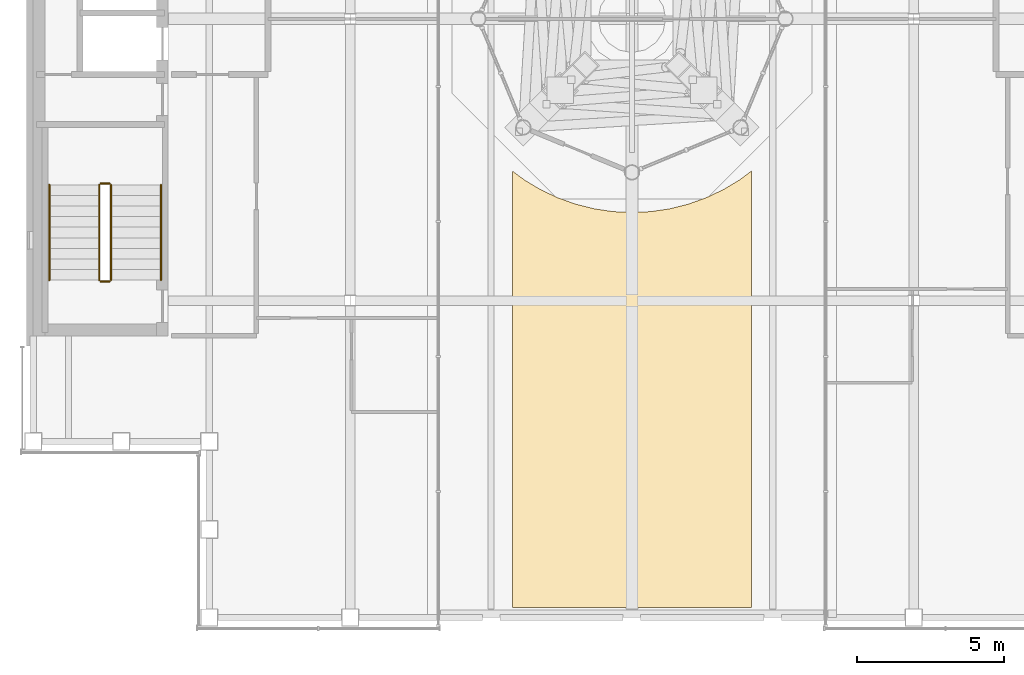
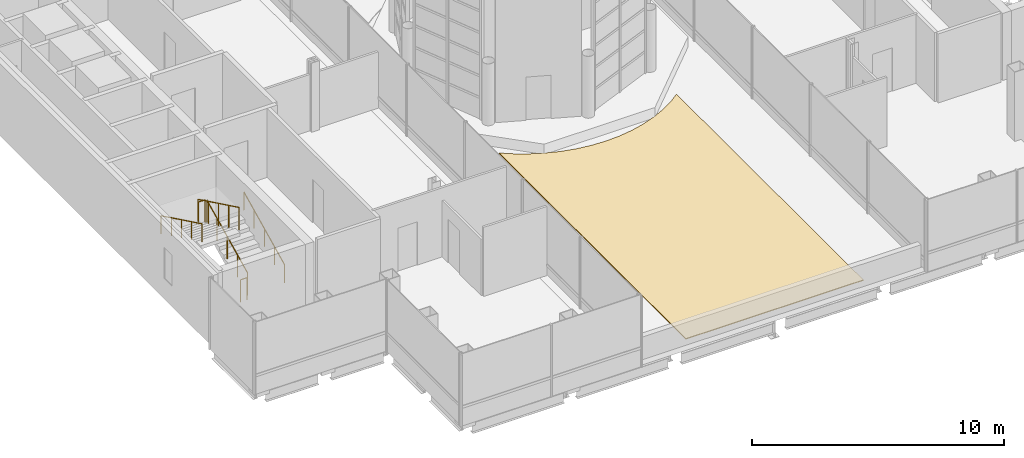
# One storey, part 29 of 32: 6 railings, 1 covering.
"""IFC4 building model written with IfcOpenShell, lengths in metres."""

import ifcopenshell
import ifcopenshell.guid

model = None  # the IFC model being written
_history = None  # IfcOwnerHistory: only IFC2X3 demands one
_inside = {}  # id of a spatial element -> (the spatial element, [elements in it])
_under = {}  # id of a project, library or spatial element -> (it, [spatial elements below it])
_declared = {}  # id of a project -> (the project, [libraries it declares])
_typed = {}  # id of a type object -> (the type object, [elements of that type])
_made_of = {}  # id of a material, layer set ... -> (it, [elements and type objects made of it])


def new_model(schema):
    """Start an empty IFC model of exactly this schema.

    Asked for "IFC4X3", IfcOpenShell would pick the latest addendum, in which some entities
    have other attributes; the version numbers below select the first issue.
    IFC2X3 requires an IfcOwnerHistory on every rooted entity: one is made here for all.
    """
    global model, _history
    if schema == "IFC4X3":
        model = ifcopenshell.file(schema_version=(4, 3, 0, 0))
    else:
        model = ifcopenshell.file(schema=schema)
    _inside.clear()
    _under.clear()
    _declared.clear()
    _typed.clear()
    _made_of.clear()
    _history = None
    if model.schema == "IFC2X3":
        org = make("IfcOrganization", Name="unknown")
        user = make(
            "IfcPersonAndOrganization",
            ThePerson=make("IfcPerson", FamilyName="unknown"),
            TheOrganization=org,
        )
        app = make(
            "IfcApplication",
            ApplicationDeveloper=org,
            Version="unknown",
            ApplicationFullName="unknown",
            ApplicationIdentifier="unknown",
        )
        _history = make(
            "IfcOwnerHistory",
            OwningUser=user,
            OwningApplication=app,
            ChangeAction="ADDED",
            CreationDate=0,
        )
    return model


def make(cls, **values):
    """One entity of the class cls with the attributes given. An attribute that is None is left unset."""
    return model.create_entity(
        cls, **{name: value for name, value in values.items() if value is not None}
    )


def rooted(cls, **values):
    """An entity with a GlobalId (a new one), such as an element, a storey or a relation."""
    return make(cls, GlobalId=ifcopenshell.guid.new(), OwnerHistory=_history, **values)


def si_unit(unit_type, name, prefix=None):
    """IfcSIUnit, for example si_unit("LENGTHUNIT", "METRE", prefix="MILLI")."""
    return make("IfcSIUnit", UnitType=unit_type, Prefix=prefix, Name=name)


def assignment(units):
    """IfcUnitAssignment: the units of a project."""
    return None if units is None else make("IfcUnitAssignment", Units=units)


def point(xyz):
    """IfcCartesianPoint."""
    return None if xyz is None else make("IfcCartesianPoint", Coordinates=xyz)


def direction(xyz):
    """IfcDirection."""
    return None if xyz is None else make("IfcDirection", DirectionRatios=xyz)


def frame(location, z_axis=None, x_axis=None):
    """IfcAxis2Placement3D, a coordinate frame: its origin and axes. An axis left out is left unset."""
    return make(
        "IfcAxis2Placement3D",
        Location=point(location),
        Axis=direction(z_axis),
        RefDirection=direction(x_axis),
    )


def frame_2d(location, x_axis=None):
    """IfcAxis2Placement2D, a coordinate frame in the plane: its origin and x axis."""
    return make(
        "IfcAxis2Placement2D", Location=point(location), RefDirection=direction(x_axis)
    )


def origin():
    """The frame at (0, 0, 0) with its axes left unset."""
    return frame((0.0, 0.0, 0.0))


def origin_2d():
    """The frame at (0, 0) in the plane with its x axis left unset."""
    return frame_2d((0.0, 0.0))


def place(relative_to, where):
    """IfcLocalPlacement: puts the frame where relative to a parent placement (None: the world)."""
    return make(
        "IfcLocalPlacement", PlacementRelTo=relative_to, RelativePlacement=where
    )


def context(
    kind, dimensions, precision=None, world=None, true_north=None, identifier=None
):
    """IfcGeometricRepresentationContext, for example the 3D "Model" context."""
    return make(
        "IfcGeometricRepresentationContext",
        ContextIdentifier=identifier,
        ContextType=kind,
        CoordinateSpaceDimension=dimensions,
        Precision=precision,
        WorldCoordinateSystem=world,
        TrueNorth=true_north,
    )


def subcontext(parent, identifier, kind, view, scale=None):
    """IfcGeometricRepresentationSubContext, for example "Body" below "Model"."""
    return make(
        "IfcGeometricRepresentationSubContext",
        ContextIdentifier=identifier,
        ContextType=kind,
        ParentContext=parent,
        TargetScale=scale,
        TargetView=view,
    )


def project(units=None, contexts=None):
    """IfcProject with its units and contexts."""
    return rooted(
        "IfcProject",
        Name="project",
        RepresentationContexts=contexts,
        UnitsInContext=assignment(units),
    )


def spatial(cls, under=None, at=None, **own):
    """A site, building, storey or space (cls), placed at a placement, below another one or the project."""
    s = rooted(cls, ObjectPlacement=at, **own)
    if under is not None:
        _under.setdefault(under.id(), (under, []))[1].append(s)
    return s


def polyline(points):
    """IfcPolyline through the points."""
    return make("IfcPolyline", Points=[point(p) for p in points])


def profile(cls, at=None, kind="AREA", **sizes):
    """A parametric profile (cls). Its sizes go by their IFC names, for example OverallWidth=200.0."""
    return make(cls, ProfileType=kind, Position=at, **sizes)


def circle(**sizes):
    """IfcCircleProfileDef."""
    return profile("IfcCircleProfileDef", **sizes)


def outline(outer, holes=None, kind="AREA"):
    """IfcArbitraryClosedProfileDef: a profile drawn as a closed curve; with holes, ...WithVoids."""
    if holes is None:
        return make("IfcArbitraryClosedProfileDef", ProfileType=kind, OuterCurve=outer)
    return make(
        "IfcArbitraryProfileDefWithVoids",
        ProfileType=kind,
        OuterCurve=outer,
        InnerCurves=holes,
    )


def extrude(swept, where, along, depth):
    """IfcExtrudedAreaSolid: the profile swept, set in the frame where, extruded along a direction by depth."""
    return make(
        "IfcExtrudedAreaSolid",
        SweptArea=swept,
        Position=where,
        ExtrudedDirection=direction(along),
        Depth=depth,
    )


def shape(context_of_items, identifier, shape_type, items):
    """IfcShapeRepresentation: the items that make up one representation, for example the "Body"."""
    return make(
        "IfcShapeRepresentation",
        ContextOfItems=context_of_items,
        RepresentationIdentifier=identifier,
        RepresentationType=shape_type,
        Items=items,
    )


def material(Name=None, Category=None):
    """IfcMaterial."""
    return make("IfcMaterial", Name=Name, Category=Category)


def layer(
    of_material, thickness, ventilated=None, Name=None, Category=None, Priority=None
):
    """IfcMaterialLayer: one layer of a wall or slab, of a material (None: an air gap)."""
    return make(
        "IfcMaterialLayer",
        Material=of_material,
        LayerThickness=thickness,
        IsVentilated=ventilated,
        Name=Name,
        Category=Category,
        Priority=Priority,
    )


def layer_set(layers, Name=None):
    """IfcMaterialLayerSet."""
    return make("IfcMaterialLayerSet", MaterialLayers=layers, LayerSetName=Name)


def made_of(thing, what):
    """Note that an element or type object is made of a material, layer set ...; save() writes the relation."""
    if what is not None:
        _made_of.setdefault(what.id(), (what, []))[1].append(thing)
    return thing


def type_object(cls, material=None, **own):
    """A type object (cls), such as IfcWallType, which elements share."""
    return made_of(rooted(cls, **own), material)


def element(
    cls,
    number,
    at=None,
    inside=None,
    cuts=None,
    type_object=None,
    material=None,
    context=None,
    identifier="Body",
    shape_type=None,
    held_by="IfcProductDefinitionShape",
    body=None,
    shapes=None,
    **own,
):
    """One element of the class cls, such as IfcWall. Its Tag is "e" and its number.

    at: its placement. inside: the storey or other place that contains it. cuts: it is an
    opening in that element (IfcRelVoidsElement). A single representation is given by context,
    identifier, shape_type and body (its items); several are given by shapes. held_by: the class
    of the entity that holds the representations. save() writes the other relations.
    """
    e = rooted(cls, Tag="e%d" % number, ObjectPlacement=at, **own)
    if body is not None:
        shapes = [shape(context, identifier, shape_type, body)]
    if shapes is not None:
        e.Representation = make(held_by, Representations=shapes)
    if inside is not None:
        _inside.setdefault(inside.id(), (inside, []))[1].append(e)
    if cuts is not None:
        rooted(
            "IfcRelVoidsElement", RelatingBuildingElement=cuts, RelatedOpeningElement=e
        )
    if type_object is not None:
        _typed.setdefault(type_object.id(), (type_object, []))[1].append(e)
    return made_of(e, material)


def aggregate(whole, parts):
    """IfcRelAggregates: a whole, such as a stair, and the parts it consists of."""
    return rooted("IfcRelAggregates", RelatingObject=whole, RelatedObjects=parts)


def save(model, path):
    """Write the relations noted so far, then the file.

    IfcRelAggregates (storeys below a building ...), IfcRelContainedInSpatialStructure (elements
    in a storey), IfcRelDefinesByType, IfcRelAssociatesMaterial and IfcRelDeclares: one each for
    every whole, place, type object, material and project.
    """
    for whole, parts in _under.values():
        aggregate(whole, parts)
    for where, things in _inside.values():
        rooted(
            "IfcRelContainedInSpatialStructure",
            RelatedElements=things,
            RelatingStructure=where,
        )
    for kind, things in _typed.values():
        rooted("IfcRelDefinesByType", RelatedObjects=things, RelatingType=kind)
    for what, things in _made_of.values():
        rooted("IfcRelAssociatesMaterial", RelatedObjects=things, RelatingMaterial=what)
    for by, libraries in _declared.values():
        rooted("IfcRelDeclares", RelatingContext=by, RelatedDefinitions=libraries)
    model.write(path)


model = new_model("IFC4")

# Units and contexts
model_context = context("Model", 3, precision=1e-05, world=origin(), true_north=direction((0.0, 1.0)))
body_context = subcontext(model_context, "Body", "Model", "MODEL_VIEW")
ifc_project = project(units=[si_unit("LENGTHUNIT", "METRE"), si_unit("AREAUNIT", "SQUARE_METRE"), si_unit("VOLUMEUNIT", "CUBIC_METRE"), si_unit("PLANEANGLEUNIT", "RADIAN"), si_unit("MASSUNIT", "GRAM", prefix="KILO")], contexts=[model_context])

# Site, building, storey
site_placement = place(None, origin())
site = spatial("IfcSite", under=ifc_project, at=site_placement, CompositionType="ELEMENT")
building_placement = place(site_placement, origin())
building = spatial("IfcBuilding", under=site, at=building_placement, Name="Cobrizo Arcos Hotel Tower", CompositionType="ELEMENT")
storey_placement = place(building_placement, frame((0.0, 0.0, 265.5)))
storey = spatial("IfcBuildingStorey", under=building, at=storey_placement, Name="L70", CompositionType="ELEMENT", Elevation=265.5)

# Covering
ifc_material_1 = material(Name="Roof membrane TPO single ply")
ifc_layer = layer(ifc_material_1, 0.0400390625)
ifc_layer_set = layer_set([ifc_layer], Name="RC-1 roof covering")
covering_type = type_object("IfcCoveringType", Name="RC-1 roof covering", PredefinedType="ROOFING", material=ifc_layer_set)
covering_placement = place(storey_placement, origin())
element("IfcCovering", 1, at=covering_placement, inside=storey, type_object=covering_type, Name="Roof covering L69 2", PredefinedType="ROOFING", context=body_context, shape_type="SweptSolid", body=[
    extrude(outline(polyline([(-4.073974609375, -20.050048828125), (-4.073974609375, -5.185546875), (-3.666748046875, -5.48779296875), (-3.111328125, -5.82080078125), (-2.525634765625, -6.09765625), (-1.915771484375, -6.31591796875), (-1.28759765625, -6.47314453125), (-0.64697265625, -6.568115234375), (0.0, -6.60009765625), (0.64697265625, -6.568115234375), (1.28759765625, -6.47314453125), (1.915771484375, -6.31591796875), (2.525634765625, -6.09765625), (3.111328125, -5.82080078125), (3.666748046875, -5.48779296875), (4.073974609375, -5.185546875), (4.073974609375, -20.050048828125), (-4.073974609375, -20.050048828125)])), origin(), (0.0, 0.0, 1.0), 0.0400390625),
])

# Railings
ifc_material_2 = material(Name="Stainless steel railing", Category="steel")
railing_type_1 = type_object("IfcRailingType", Name="Stair guard 1100", PredefinedType="GUARDRAIL", material=ifc_material_2)
railing_1_placement = place(storey_placement, frame((-17.75, -8.89990234375, 0.175048828125)))
element("IfcRailing", 2, at=railing_1_placement, inside=storey, type_object=railing_type_1, Name="L70 ST-W stair guard 1", PredefinedType="GUARDRAIL", context=body_context, shape_type="SweptSolid", body=[
    extrude(circle(Radius=0.02392578125, at=origin_2d()), frame((0.0, 0.0, 1.076171875), z_axis=(0.0, 0.899372665325, 0.437182809435), x_axis=(-1.0, 0.0, 0.0)), (0.0, 0.0, 1.0), 3.6025390625),
    extrude(circle(Radius=0.02099609375, at=origin_2d()), origin(), (0.0, 0.0, 1.0), 1.052001953125),
    extrude(circle(Radius=0.02099609375, at=origin_2d()), frame((0.0, 0.81005859375, 0.393798828125)), (0.0, 0.0, 1.0), 1.052001953125),
    extrude(circle(Radius=0.02099609375, at=origin_2d()), frame((0.0, 1.6201171875, 0.78759765625)), (0.0, 0.0, 1.0), 1.052001953125),
    extrude(circle(Radius=0.02099609375, at=origin_2d()), frame((0.0, 2.429931640625, 1.18115234375)), (0.0, 0.0, 1.0), 1.052001953125),
    extrude(circle(Radius=0.02099609375, at=origin_2d()), frame((0.0, 3.239990234375, 1.574951171875)), (0.0, 0.0, 1.0), 1.052001953125),
])
railing_2_placement = place(storey_placement, frame((-17.800048828125, -5.610107421875, 1.75)))
element("IfcRailing", 3, at=railing_2_placement, inside=storey, type_object=railing_type_1, Name="L70 ST-W stair guard 2", PredefinedType="GUARDRAIL", context=body_context, shape_type="SweptSolid", body=[
    extrude(circle(Radius=0.02392578125, at=origin_2d()), frame((0.0, 0.0, 1.076171875), z_axis=(-1.0, 0.0, 0.0), x_axis=(0.0, -1.0, 0.0)), (0.0, 0.0, 1.0), 0.300048828125),
    extrude(circle(Radius=0.02099609375, at=origin_2d()), origin(), (0.0, 0.0, 1.0), 1.052001953125),
    extrude(circle(Radius=0.02099609375, at=origin_2d()), frame((-0.300048828125, 0.0, 0.0)), (0.0, 0.0, 1.0), 1.052001953125),
])
railing_3_placement = place(storey_placement, frame((-18.14990234375, -5.659912109375, 1.925048828125)))
element("IfcRailing", 4, at=railing_3_placement, inside=storey, type_object=railing_type_1, Name="L70 ST-W stair guard 3", PredefinedType="GUARDRAIL", context=body_context, shape_type="SweptSolid", body=[
    extrude(circle(Radius=0.02392578125, at=origin_2d()), frame((0.0, 0.0, 1.076171875), z_axis=(0.0, -0.899372665325, 0.437182809435), x_axis=(1.0, 0.0, 0.0)), (0.0, 0.0, 1.0), 3.6025390625),
    extrude(circle(Radius=0.02099609375, at=origin_2d()), origin(), (0.0, 0.0, 1.0), 1.052001953125),
    extrude(circle(Radius=0.02099609375, at=origin_2d()), frame((0.0, -0.81005859375, 0.393798828125)), (0.0, 0.0, 1.0), 1.052001953125),
    extrude(circle(Radius=0.02099609375, at=origin_2d()), frame((0.0, -1.6201171875, 0.78759765625)), (0.0, 0.0, 1.0), 1.052001953125),
    extrude(circle(Radius=0.02099609375, at=origin_2d()), frame((0.0, -2.429931640625, 1.18115234375)), (0.0, 0.0, 1.0), 1.052001953125),
    extrude(circle(Radius=0.02099609375, at=origin_2d()), frame((0.0, -3.239990234375, 1.574951171875)), (0.0, 0.0, 1.0), 1.052001953125),
])
railing_4_placement = place(storey_placement, frame((-17.800048828125, -8.949951171875, 0.0)))
element("IfcRailing", 5, at=railing_4_placement, inside=storey, type_object=railing_type_1, Name="L70 ST-W stair guard 4", PredefinedType="GUARDRAIL", context=body_context, shape_type="SweptSolid", body=[
    extrude(circle(Radius=0.02392578125, at=origin_2d()), frame((0.0, 0.0, 1.076171875), z_axis=(-1.0, 0.0, 0.0), x_axis=(0.0, -1.0, 0.0)), (0.0, 0.0, 1.0), 0.300048828125),
    extrude(circle(Radius=0.02099609375, at=origin_2d()), origin(), (0.0, 0.0, 1.0), 1.052001953125),
    extrude(circle(Radius=0.02099609375, at=origin_2d()), frame((-0.300048828125, 0.0, 0.0)), (0.0, 0.0, 1.0), 1.052001953125),
])
railing_type_2 = type_object("IfcRailingType", Name="Stair handrail", PredefinedType="HANDRAIL", material=ifc_material_2)
railing_5_placement = place(storey_placement, frame((-16.050048828125, -8.89990234375, 0.175048828125)))
element("IfcRailing", 6, at=railing_5_placement, inside=storey, type_object=railing_type_2, Name="L70 ST-W stair handrail 1", PredefinedType="HANDRAIL", context=body_context, shape_type="SweptSolid", body=[
    extrude(circle(Radius=0.02392578125, at=origin_2d()), frame((0.0, 0.0, 0.8759765625), z_axis=(0.0, 0.899372665325, 0.437182809435), x_axis=(-1.0, 0.0, 0.0)), (0.0, 0.0, 1.0), 3.6025390625),
    extrude(circle(Radius=0.02099609375, at=origin_2d()), origin(), (0.0, 0.0, 1.0), 0.851806640625),
    extrude(circle(Radius=0.02099609375, at=origin_2d()), frame((0.0, 0.81005859375, 0.393798828125)), (0.0, 0.0, 1.0), 0.851806640625),
    extrude(circle(Radius=0.02099609375, at=origin_2d()), frame((0.0, 1.6201171875, 0.78759765625)), (0.0, 0.0, 1.0), 0.851806640625),
    extrude(circle(Radius=0.02099609375, at=origin_2d()), frame((0.0, 2.429931640625, 1.18115234375)), (0.0, 0.0, 1.0), 0.851806640625),
    extrude(circle(Radius=0.02099609375, at=origin_2d()), frame((0.0, 3.239990234375, 1.574951171875)), (0.0, 0.0, 1.0), 0.851806640625),
])
railing_6_placement = place(storey_placement, frame((-19.85009765625, -5.659912109375, 1.925048828125)))
element("IfcRailing", 7, at=railing_6_placement, inside=storey, type_object=railing_type_2, Name="L70 ST-W stair handrail 2", PredefinedType="HANDRAIL", context=body_context, shape_type="SweptSolid", body=[
    extrude(circle(Radius=0.02392578125, at=origin_2d()), frame((0.0, 0.0, 0.8759765625), z_axis=(0.0, -0.899372665325, 0.437182809435), x_axis=(1.0, 0.0, 0.0)), (0.0, 0.0, 1.0), 3.6025390625),
    extrude(circle(Radius=0.02099609375, at=origin_2d()), origin(), (0.0, 0.0, 1.0), 0.851806640625),
    extrude(circle(Radius=0.02099609375, at=origin_2d()), frame((0.0, -0.81005859375, 0.393798828125)), (0.0, 0.0, 1.0), 0.851806640625),
    extrude(circle(Radius=0.02099609375, at=origin_2d()), frame((0.0, -1.6201171875, 0.78759765625)), (0.0, 0.0, 1.0), 0.851806640625),
    extrude(circle(Radius=0.02099609375, at=origin_2d()), frame((0.0, -2.429931640625, 1.18115234375)), (0.0, 0.0, 1.0), 0.851806640625),
    extrude(circle(Radius=0.02099609375, at=origin_2d()), frame((0.0, -3.239990234375, 1.574951171875)), (0.0, 0.0, 1.0), 0.851806640625),
])

save(model, "model.ifc")
